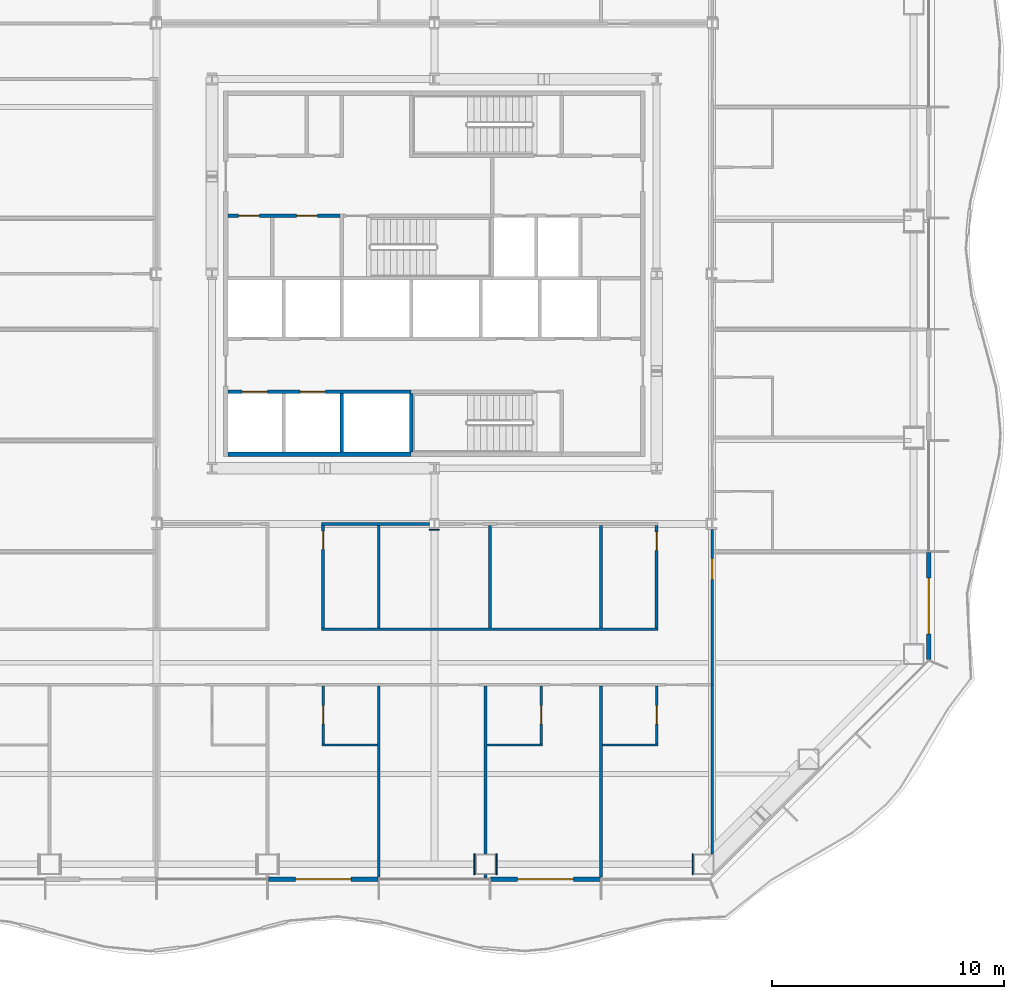
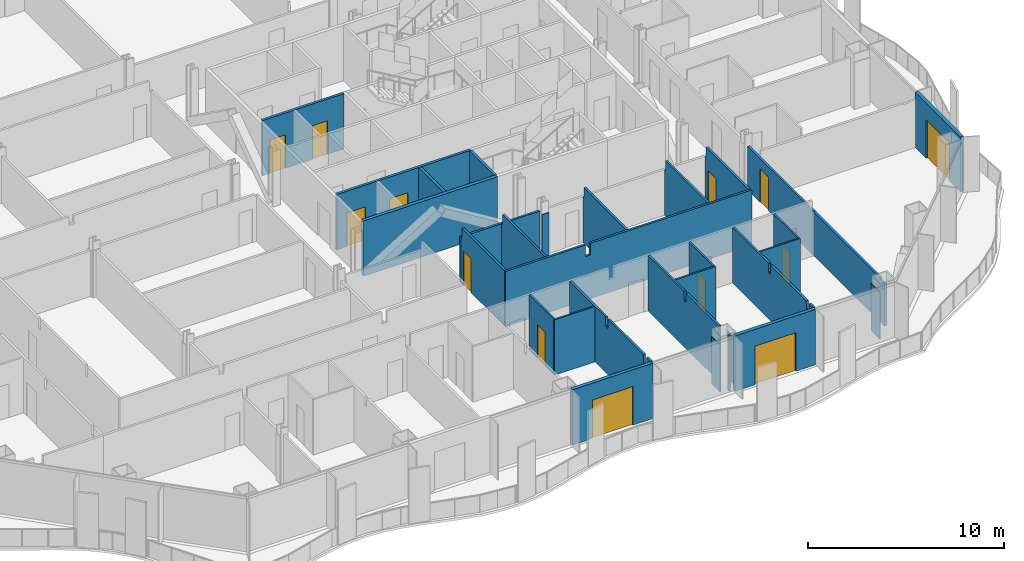
# One storey, part 9 of 20: 31 walls, 13 doors, 13 openings.
"""IFC4 building model written with IfcOpenShell, lengths in metres."""

from ifc_helpers import new_model, si_unit, direction, frame, frame_2d, origin, place, context, subcontext, project, spatial, polyline, rectangle, outline, extrude, material, layer, layer_set, type_object, element, fill, save


model = new_model("IFC4")

# Units and contexts
model_context = context("Model", 3, precision=1e-05, world=origin(), true_north=direction((0.0, 1.0)))
body_context = subcontext(model_context, "Body", "Model", "MODEL_VIEW")
ifc_project = project(units=[si_unit("LENGTHUNIT", "METRE"), si_unit("AREAUNIT", "SQUARE_METRE"), si_unit("VOLUMEUNIT", "CUBIC_METRE"), si_unit("PLANEANGLEUNIT", "RADIAN"), si_unit("MASSUNIT", "GRAM", prefix="KILO")], contexts=[model_context])

# Site, building, storey
site_placement = place(None, origin())
site = spatial("IfcSite", under=ifc_project, at=site_placement, CompositionType="ELEMENT")
building_placement = place(site_placement, origin())
building = spatial("IfcBuilding", under=site, at=building_placement, Name="Cairn Pilgrim Tower", CompositionType="ELEMENT")
storey_placement = place(building_placement, frame((0.0, 0.0, 83.39990234375)))
storey = spatial("IfcBuildingStorey", under=building, at=storey_placement, Name="L19", CompositionType="ELEMENT", Elevation=83.39990234375)

# Wall, opening, door
ifc_material_1 = material(Name="Bronze anodised aluminium insulated sandwich panel with mineral wool fill", Category="aluminium")
ifc_layer_1 = layer(ifc_material_1, 0.199951171875)
ifc_layer_set_1 = layer_set([ifc_layer_1], Name="BRONZE INFILL FRAME WALL 200")
wall_type_1 = type_object("IfcWallType", Name="BRONZE INFILL FRAME WALL 200", PredefinedType="NOTDEFINED", material=ifc_layer_set_1)
wall_1_placement = place(storey_placement, frame((0.030029296875, -23.75, 0.0), z_axis=(0.0, 0.0, 1.0), x_axis=(1.0, 0.0, 0.0)))
wall_1 = element("IfcWall", 1, at=wall_1_placement, inside=storey, type_object=wall_type_1, Name="Bronze infill frame wall IW-S5", PredefinedType="NOTDEFINED", context=body_context, shape_type="SweptSolid", body=[
    extrude(rectangle(XDim=4.739990234375, YDim=0.199951171875, at=frame_2d((2.3701171875, 0.0))), origin(), (0.0, 0.0, 1.0), 3.4501953125),
])
opening_1_placement = place(wall_1_placement, frame((1.169921875, 0.0, 0.0)))
opening_1 = element("IfcOpeningElement", 2, at=opening_1_placement, cuts=wall_1, Name="Opening 1905B", PredefinedType="OPENING", context=body_context, shape_type="SweptSolid", body=[
    extrude(rectangle(XDim=2.39990234375, YDim=2.39990234375, at=frame_2d((1.199951171875, 1.199951171875))), frame((0.0, 0.10986328125, 0.0), z_axis=(0.0, -1.0, 0.0), x_axis=(1.0, 0.0, 0.0)), (0.0, 0.0, 1.0), 0.219970703125),
])
ifc_material_2 = material(Name="Bronze anodised aluminium frame with tinted low-E glass", Category="aluminium")
door_type_1 = type_object("IfcDoorType", Name="BALCONY SLIDING DOOR 2400x2400", OperationType="DOUBLE_DOOR_SLIDING", PredefinedType="DOOR", material=ifc_material_2)
door_1_placement = place(opening_1_placement, origin())
door_1 = element("IfcDoor", 3, at=door_1_placement, inside=storey, type_object=door_type_1, Name="Balcony sliding door 1905B", OperationType="SINGLE_SWING_LEFT", OverallHeight=2.39990234375, OverallWidth=2.39990234375, PredefinedType="DOOR", context=body_context, shape_type="SweptSolid", body=[
    extrude(rectangle(XDim=2.39990234375, YDim=2.39990234375, at=frame_2d((1.199951171875, 1.199951171875))), frame((0.0, 0.02490234375, 0.0), z_axis=(0.0, -1.0, 0.0), x_axis=(1.0, 0.0, 0.0)), (0.0, 0.0, 1.0), 0.050048828125),
])
fill(opening_1, door_1)

wall_2_placement = place(storey_placement, frame((9.6298828125, -23.75, 0.0), z_axis=(0.0, 0.0, 1.0), x_axis=(1.0, 0.0, 0.0)))
wall_2 = element("IfcWall", 4, at=wall_2_placement, inside=storey, type_object=wall_type_1, Name="Bronze infill frame wall IW-S7", PredefinedType="NOTDEFINED", context=body_context, shape_type="SweptSolid", body=[
    extrude(rectangle(XDim=4.740234375, YDim=0.199951171875, at=frame_2d((2.3701171875, 0.0))), origin(), (0.0, 0.0, 1.0), 3.4501953125),
])
opening_2_placement = place(wall_2_placement, frame((1.169921875, 0.0, 0.0)))
opening_2 = element("IfcOpeningElement", 5, at=opening_2_placement, cuts=wall_2, Name="Opening 1907B", PredefinedType="OPENING", context=body_context, shape_type="SweptSolid", body=[
    extrude(rectangle(XDim=2.39990234375, YDim=2.39990234375, at=frame_2d((1.199951171875, 1.199951171875))), frame((0.0, 0.10986328125, 0.0), z_axis=(0.0, -1.0, 0.0), x_axis=(1.0, 0.0, 0.0)), (0.0, 0.0, 1.0), 0.219970703125),
])
door_2_placement = place(opening_2_placement, origin())
door_2 = element("IfcDoor", 6, at=door_2_placement, inside=storey, type_object=door_type_1, Name="Balcony sliding door 1907B", OperationType="SINGLE_SWING_LEFT", OverallHeight=2.39990234375, OverallWidth=2.39990234375, PredefinedType="DOOR", context=body_context, shape_type="SweptSolid", body=[
    extrude(rectangle(XDim=2.39990234375, YDim=2.39990234375, at=frame_2d((1.199951171875, 1.199951171875))), frame((0.0, 0.02490234375, 0.0), z_axis=(0.0, -1.0, 0.0), x_axis=(1.0, 0.0, 0.0)), (0.0, 0.0, 1.0), 0.050048828125),
])
fill(opening_2, door_2)

wall_3_placement = place(storey_placement, frame((28.550048828125, -14.25634765625, 0.0), z_axis=(0.0, 0.0, 1.0), x_axis=(0.0, 1.0, 0.0)))
wall_3 = element("IfcWall", 7, at=wall_3_placement, inside=storey, type_object=wall_type_1, Name="Bronze infill frame wall IW-E1", PredefinedType="NOTDEFINED", context=body_context, shape_type="SweptSolid", body=[
    extrude(rectangle(XDim=4.62646484375, YDim=0.199951171875, at=frame_2d((2.313232421875, 0.0))), origin(), (0.0, 0.0, 1.0), 3.4501953125),
])
opening_3_placement = place(wall_3_placement, frame((1.108154296875, 0.0, 0.0)))
opening_3 = element("IfcOpeningElement", 8, at=opening_3_placement, cuts=wall_3, Name="Opening 1920B", PredefinedType="OPENING", context=body_context, shape_type="SweptSolid", body=[
    extrude(rectangle(XDim=2.39990234375, YDim=2.39990234375, at=frame_2d((1.199951171875, 1.199951171875))), frame((0.0, 0.10986328125, 0.0), z_axis=(0.0, -1.0, 0.0), x_axis=(1.0, 0.0, 0.0)), (0.0, 0.0, 1.0), 0.219970703125),
])
door_3_placement = place(opening_3_placement, origin())
door_3 = element("IfcDoor", 9, at=door_3_placement, inside=storey, type_object=door_type_1, Name="Balcony sliding door 1920B", OperationType="SINGLE_SWING_LEFT", OverallHeight=2.39990234375, OverallWidth=2.39990234375, PredefinedType="DOOR", context=body_context, shape_type="SweptSolid", body=[
    extrude(rectangle(XDim=2.39990234375, YDim=2.39990234375, at=frame_2d((1.199951171875, 1.199951171875))), frame((0.0, 0.02490234375, 0.0), z_axis=(0.0, -1.0, 0.0), x_axis=(1.0, 0.0, 0.0)), (0.0, 0.0, 1.0), 0.050048828125),
])
fill(opening_3, door_3)

# Wall
ifc_material_3 = material(Name="Concrete C32/40", Category="concrete")
ifc_layer_2 = layer(ifc_material_3, 0.199951171875)
ifc_layer_set_2 = layer_set([ifc_layer_2], Name="CORE OUTER WALL 200 EI 120")
wall_type_2 = type_object("IfcWallType", Name="CORE OUTER WALL 200 EI 120", PredefinedType="SOLIDWALL", material=ifc_layer_set_2)
wall_4_placement = place(storey_placement, frame((-1.699951171875, -5.39990234375, 0.0), z_axis=(0.0, 0.0, 1.0), x_axis=(1.0, 0.0, 0.0)))
element("IfcWall", 10, at=wall_4_placement, inside=storey, type_object=wall_type_2, Name="CW:L19:H01-1", PredefinedType="SOLIDWALL", context=body_context, shape_type="SweptSolid", body=[
    extrude(rectangle(XDim=7.89990234375, YDim=0.199951171875, at=frame_2d((3.949951171875, 0.0))), origin(), (0.0, 0.0, 1.0), 3.4501953125),
])

# Wall, openings, doors
ifc_layer_3 = layer(ifc_material_3, 0.14990234375)
ifc_layer_set_3 = layer_set([ifc_layer_3], Name="CORE PARTITION 150 EI 60")
wall_type_3 = type_object("IfcWallType", Name="CORE PARTITION 150 EI 60", PredefinedType="PARTITIONING", material=ifc_layer_set_3)
wall_5_placement = place(storey_placement, frame((-1.699951171875, 4.89990234375, 0.0), z_axis=(0.0, 0.0, 1.0), x_axis=(1.0, 0.0, 0.0)))
wall_5 = element("IfcWall", 11, at=wall_5_placement, inside=storey, type_object=wall_type_3, Name="CW:L19:H07", PredefinedType="PARTITIONING", context=body_context, shape_type="SweptSolid", body=[
    extrude(rectangle(XDim=4.824951171875, YDim=0.14990234375, at=frame_2d((2.41259765625, 0.0))), origin(), (0.0, 0.0, 1.0), 3.4501953125),
])
opening_4_placement = place(wall_5_placement, frame((0.449951171875, 0.0, 0.0)))
opening_4 = element("IfcOpeningElement", 12, at=opening_4_placement, cuts=wall_5, Name="Opening RD-R3W1", PredefinedType="OPENING", context=body_context, shape_type="SweptSolid", body=[
    extrude(rectangle(XDim=0.89990234375, YDim=2.10009765625, at=frame_2d((0.449951171875, 1.050048828125))), frame((0.0, 0.0849609375, 0.0), z_axis=(0.0, -1.0, 0.0), x_axis=(1.0, 0.0, 0.0)), (0.0, 0.0, 1.0), 0.169921875),
])
opening_5_placement = place(wall_5_placement, frame((2.949951171875, 0.0, 0.0)))
opening_5 = element("IfcOpeningElement", 13, at=opening_5_placement, cuts=wall_5, Name="Opening RD-R3W2", PredefinedType="OPENING", context=body_context, shape_type="SweptSolid", body=[
    extrude(rectangle(XDim=0.89990234375, YDim=2.10009765625, at=frame_2d((0.449951171875, 1.050048828125))), frame((0.0, 0.0849609375, 0.0), z_axis=(0.0, -1.0, 0.0), x_axis=(1.0, 0.0, 0.0)), (0.0, 0.0, 1.0), 0.169921875),
])
ifc_material_4 = material(Name="Painted steel", Category="steel")
door_type_2 = type_object("IfcDoorType", Name="SERVICE ROOM DOOR 900x2100", OperationType="SINGLE_SWING_LEFT", PredefinedType="DOOR", material=ifc_material_4)
door_4_placement = place(opening_4_placement, origin())
door_4 = element("IfcDoor", 14, at=door_4_placement, inside=storey, type_object=door_type_2, Name="RD-R3W1", OperationType="SINGLE_SWING_LEFT", OverallHeight=2.10009765625, OverallWidth=0.89990234375, PredefinedType="DOOR", context=body_context, shape_type="SweptSolid", body=[
    extrude(rectangle(XDim=0.89990234375, YDim=2.10009765625, at=frame_2d((0.449951171875, 1.050048828125))), frame((0.0, 0.02490234375, 0.0), z_axis=(0.0, -1.0, 0.0), x_axis=(1.0, 0.0, 0.0)), (0.0, 0.0, 1.0), 0.050048828125),
])
fill(opening_4, door_4)
door_5_placement = place(opening_5_placement, origin())
door_5 = element("IfcDoor", 15, at=door_5_placement, inside=storey, type_object=door_type_2, Name="RD-R3W2", OperationType="SINGLE_SWING_RIGHT", OverallHeight=2.10009765625, OverallWidth=0.89990234375, PredefinedType="DOOR", context=body_context, shape_type="SweptSolid", body=[
    extrude(rectangle(XDim=0.89990234375, YDim=2.10009765625, at=frame_2d((0.449951171875, 1.050048828125))), frame((0.0, 0.02490234375, 0.0), z_axis=(0.0, -1.0, 0.0), x_axis=(1.0, 0.0, 0.0)), (0.0, 0.0, 1.0), 0.050048828125),
])
fill(opening_5, door_5)

ifc_layer_4 = layer(ifc_material_3, 0.14990234375)
ifc_layer_set_4 = layer_set([ifc_layer_4], Name="CORE SHAFT WALL 150 EI 120")
wall_type_4 = type_object("IfcWallType", Name="CORE SHAFT WALL 150 EI 120", PredefinedType="SOLIDWALL", material=ifc_layer_set_4)
wall_6_placement = place(storey_placement, frame((-1.699951171875, -2.699951171875, 0.0), z_axis=(0.0, 0.0, 1.0), x_axis=(1.0, 0.0, 0.0)))
wall_6 = element("IfcWall", 16, at=wall_6_placement, inside=storey, type_object=wall_type_4, Name="CW:L19:H02-1", PredefinedType="SOLIDWALL", context=body_context, shape_type="SweptSolid", body=[
    extrude(rectangle(XDim=7.89990234375, YDim=0.14990234375, at=frame_2d((3.949951171875, 0.0))), origin(), (0.0, 0.0, 1.0), 3.4501953125),
])
opening_6_placement = place(wall_6_placement, frame((0.60009765625, 0.0, 0.0)))
opening_6 = element("IfcOpeningElement", 17, at=opening_6_placement, cuts=wall_6, Name="Opening LD-LR1", PredefinedType="OPENING", context=body_context, shape_type="SweptSolid", body=[
    extrude(rectangle(XDim=1.10009765625, YDim=2.10009765625, at=frame_2d((0.550048828125, 1.050048828125))), frame((0.0, 0.0849609375, 0.0), z_axis=(0.0, -1.0, 0.0), x_axis=(1.0, 0.0, 0.0)), (0.0, 0.0, 1.0), 0.169921875),
])
opening_7_placement = place(wall_6_placement, frame((3.10009765625, 0.0, 0.0)))
opening_7 = element("IfcOpeningElement", 18, at=opening_7_placement, cuts=wall_6, Name="Opening LD-LR2", PredefinedType="OPENING", context=body_context, shape_type="SweptSolid", body=[
    extrude(rectangle(XDim=1.10009765625, YDim=2.10009765625, at=frame_2d((0.550048828125, 1.050048828125))), frame((0.0, 0.0849609375, 0.0), z_axis=(0.0, -1.0, 0.0), x_axis=(1.0, 0.0, 0.0)), (0.0, 0.0, 1.0), 0.169921875),
])
ifc_material_5 = material(Name="Stainless steel", Category="steel")
door_type_3 = type_object("IfcDoorType", Name="LIFT LANDING DOOR 1100x2100", OperationType="DOUBLE_DOOR_SLIDING", PredefinedType="DOOR", material=ifc_material_5)
door_6_placement = place(opening_6_placement, origin())
door_6 = element("IfcDoor", 19, at=door_6_placement, inside=storey, type_object=door_type_3, Name="LANDING DOOR LR1", OperationType="DOUBLE_DOOR_SLIDING", OverallHeight=2.10009765625, OverallWidth=1.10009765625, PredefinedType="DOOR", context=body_context, shape_type="SweptSolid", body=[
    extrude(rectangle(XDim=1.10009765625, YDim=2.10009765625, at=frame_2d((0.550048828125, 1.050048828125))), frame((0.0, 0.02490234375, 0.0), z_axis=(0.0, -1.0, 0.0), x_axis=(1.0, 0.0, 0.0)), (0.0, 0.0, 1.0), 0.050048828125),
])
fill(opening_6, door_6)
door_7_placement = place(opening_7_placement, origin())
door_7 = element("IfcDoor", 20, at=door_7_placement, inside=storey, type_object=door_type_3, Name="LANDING DOOR LR2", OperationType="DOUBLE_DOOR_SLIDING", OverallHeight=2.10009765625, OverallWidth=1.10009765625, PredefinedType="DOOR", context=body_context, shape_type="SweptSolid", body=[
    extrude(rectangle(XDim=1.10009765625, YDim=2.10009765625, at=frame_2d((0.550048828125, 1.050048828125))), frame((0.0, 0.02490234375, 0.0), z_axis=(0.0, -1.0, 0.0), x_axis=(1.0, 0.0, 0.0)), (0.0, 0.0, 1.0), 0.050048828125),
])
fill(opening_7, door_7)

# Walls
wall_7_placement = place(storey_placement, frame((3.199951171875, -5.300048828125, 0.0), z_axis=(0.0, 0.0, 1.0), x_axis=(0.0, 1.0, 0.0)))
element("IfcWall", 21, at=wall_7_placement, inside=storey, type_object=wall_type_4, Name="CW:L19:V17", PredefinedType="SOLIDWALL", context=body_context, shape_type="SweptSolid", body=[
    extrude(rectangle(XDim=2.525146484375, YDim=0.14990234375, at=frame_2d((1.2626953125, 0.0))), origin(), (0.0, 0.0, 1.0), 3.4501953125),
])
ifc_material_6 = material(Name="Gypsum partition")
ifc_layer_5 = layer(ifc_material_6, 0.10009765625)
ifc_layer_set_5 = layer_set([ifc_layer_5], Name="PARTITION 100 DRYWALL")
wall_type_5 = type_object("IfcWallType", Name="PARTITION 100 DRYWALL", PredefinedType="PARTITIONING", material=ifc_layer_set_5)
wall_8_placement = place(storey_placement, frame((2.35009765625, -17.949951171875, 0.0), z_axis=(0.0, 0.0, 1.0), x_axis=(1.0, 0.0, 0.0)))
element("IfcWall", 22, at=wall_8_placement, inside=storey, type_object=wall_type_5, Name="PARTITION W016", PredefinedType="PARTITIONING", context=body_context, shape_type="SweptSolid", body=[
    extrude(rectangle(XDim=2.387451171875, YDim=0.10009765625, at=frame_2d((1.19384765625, 0.0))), origin(), (0.0, 0.0, 1.0), 3.4501953125),
])

# Wall, opening, door
wall_9_placement = place(storey_placement, frame((2.39990234375, -17.89990234375, 0.0), z_axis=(0.0, 0.0, 1.0), x_axis=(0.0, 1.0, 0.0)))
wall_9 = element("IfcWall", 23, at=wall_9_placement, inside=storey, type_object=wall_type_5, Name="PARTITION W017", PredefinedType="PARTITIONING", context=body_context, shape_type="SweptSolid", body=[
    extrude(rectangle(XDim=2.4873046875, YDim=0.10009765625, at=frame_2d((1.24365234375, 0.0))), origin(), (0.0, 0.0, 1.0), 3.4501953125),
])
opening_8_placement = place(wall_9_placement, frame((0.85009765625, 0.0, 0.0)))
opening_8 = element("IfcOpeningElement", 24, at=opening_8_placement, cuts=wall_9, Name="Opening 1905E", PredefinedType="OPENING", context=body_context, shape_type="SweptSolid", body=[
    extrude(rectangle(XDim=0.800048828125, YDim=2.10009765625, at=frame_2d((0.39990234375, 1.050048828125))), frame((0.0, 0.06005859375, 0.0), z_axis=(0.0, -1.0, 0.0), x_axis=(1.0, 0.0, 0.0)), (0.0, 0.0, 1.0), 0.1201171875),
])
ifc_material_7 = material(Name="Timber door leaf", Category="wood")
door_type_4 = type_object("IfcDoorType", Name="DOOR 800x2100", OperationType="NOTDEFINED", PredefinedType="DOOR", material=ifc_material_7)
door_8_placement = place(opening_8_placement, frame((0.800048828125, 0.0, 0.0), z_axis=(0.0, 0.0, 1.0), x_axis=(-1.0, 0.0, 0.0)))
door_8 = element("IfcDoor", 25, at=door_8_placement, inside=storey, type_object=door_type_4, Name="DOOR 1905E", OperationType="SINGLE_SWING_LEFT", OverallHeight=2.10009765625, OverallWidth=0.800048828125, PredefinedType="DOOR", context=body_context, shape_type="SweptSolid", body=[
    extrude(rectangle(XDim=0.800048828125, YDim=2.10009765625, at=frame_2d((0.39990234375, 1.050048828125))), frame((0.0, 0.02490234375, 0.0), z_axis=(0.0, -1.0, 0.0), x_axis=(1.0, 0.0, 0.0)), (0.0, 0.0, 1.0), 0.050048828125),
])
fill(opening_8, door_8)

# Wall
wall_10_placement = place(storey_placement, frame((9.4765625, -17.949951171875, 0.0), z_axis=(0.0, 0.0, 1.0), x_axis=(1.0, 0.0, 0.0)))
element("IfcWall", 26, at=wall_10_placement, inside=storey, type_object=wall_type_5, Name="PARTITION W018", PredefinedType="PARTITIONING", context=body_context, shape_type="SweptSolid", body=[
    extrude(rectangle(XDim=2.387451171875, YDim=0.10009765625, at=frame_2d((1.19384765625, 0.0))), origin(), (0.0, 0.0, 1.0), 3.4501953125),
])

# Wall, opening, door
wall_11_placement = place(storey_placement, frame((11.81396484375, -17.89990234375, 0.0), z_axis=(0.0, 0.0, 1.0), x_axis=(0.0, 1.0, 0.0)))
wall_11 = element("IfcWall", 27, at=wall_11_placement, inside=storey, type_object=wall_type_5, Name="PARTITION W019", PredefinedType="PARTITIONING", context=body_context, shape_type="SweptSolid", body=[
    extrude(rectangle(XDim=2.4873046875, YDim=0.10009765625, at=frame_2d((1.24365234375, 0.0))), origin(), (0.0, 0.0, 1.0), 3.4501953125),
])
opening_9_placement = place(wall_11_placement, frame((0.85009765625, 0.0, 0.0)))
opening_9 = element("IfcOpeningElement", 28, at=opening_9_placement, cuts=wall_11, Name="Opening 1907E", PredefinedType="OPENING", context=body_context, shape_type="SweptSolid", body=[
    extrude(rectangle(XDim=0.800048828125, YDim=2.10009765625, at=frame_2d((0.39990234375, 1.050048828125))), frame((0.0, 0.06005859375, 0.0), z_axis=(0.0, -1.0, 0.0), x_axis=(1.0, 0.0, 0.0)), (0.0, 0.0, 1.0), 0.1201171875),
])
door_9_placement = place(opening_9_placement, origin())
door_9 = element("IfcDoor", 29, at=door_9_placement, inside=storey, type_object=door_type_4, Name="DOOR 1907E", OperationType="SINGLE_SWING_RIGHT", OverallHeight=2.10009765625, OverallWidth=0.800048828125, PredefinedType="DOOR", context=body_context, shape_type="SweptSolid", body=[
    extrude(rectangle(XDim=0.800048828125, YDim=2.10009765625, at=frame_2d((0.39990234375, 1.050048828125))), frame((0.0, 0.02490234375, 0.0), z_axis=(0.0, -1.0, 0.0), x_axis=(1.0, 0.0, 0.0)), (0.0, 0.0, 1.0), 0.050048828125),
])
fill(opening_9, door_9)

# Wall
wall_12_placement = place(storey_placement, frame((14.46240234375, -17.949951171875, 0.0), z_axis=(0.0, 0.0, 1.0), x_axis=(1.0, 0.0, 0.0)))
element("IfcWall", 30, at=wall_12_placement, inside=storey, type_object=wall_type_5, Name="PARTITION W020", PredefinedType="PARTITIONING", context=body_context, shape_type="SweptSolid", body=[
    extrude(rectangle(XDim=2.3876953125, YDim=0.10009765625, at=frame_2d((1.19384765625, 0.0))), origin(), (0.0, 0.0, 1.0), 3.4501953125),
])

# Wall, opening, door
wall_13_placement = place(storey_placement, frame((16.800048828125, -17.89990234375, 0.0), z_axis=(0.0, 0.0, 1.0), x_axis=(0.0, 1.0, 0.0)))
wall_13 = element("IfcWall", 31, at=wall_13_placement, inside=storey, type_object=wall_type_5, Name="PARTITION W021", PredefinedType="PARTITIONING", context=body_context, shape_type="SweptSolid", body=[
    extrude(rectangle(XDim=2.4873046875, YDim=0.10009765625, at=frame_2d((1.24365234375, 0.0))), origin(), (0.0, 0.0, 1.0), 3.4501953125),
])
opening_10_placement = place(wall_13_placement, frame((0.85009765625, 0.0, 0.0)))
opening_10 = element("IfcOpeningElement", 32, at=opening_10_placement, cuts=wall_13, Name="Opening 1908E", PredefinedType="OPENING", context=body_context, shape_type="SweptSolid", body=[
    extrude(rectangle(XDim=0.800048828125, YDim=2.10009765625, at=frame_2d((0.39990234375, 1.050048828125))), frame((0.0, 0.06005859375, 0.0), z_axis=(0.0, -1.0, 0.0), x_axis=(1.0, 0.0, 0.0)), (0.0, 0.0, 1.0), 0.1201171875),
])
door_10_placement = place(opening_10_placement, origin())
door_10 = element("IfcDoor", 33, at=door_10_placement, inside=storey, type_object=door_type_4, Name="DOOR 1908E", OperationType="SINGLE_SWING_RIGHT", OverallHeight=2.10009765625, OverallWidth=0.800048828125, PredefinedType="DOOR", context=body_context, shape_type="SweptSolid", body=[
    extrude(rectangle(XDim=0.800048828125, YDim=2.10009765625, at=frame_2d((0.39990234375, 1.050048828125))), frame((0.0, 0.02490234375, 0.0), z_axis=(0.0, -1.0, 0.0), x_axis=(1.0, 0.0, 0.0)), (0.0, 0.0, 1.0), 0.050048828125),
])
fill(opening_10, door_10)

# Walls
ifc_layer_6 = layer(ifc_material_6, 0.125)
ifc_layer_set_6 = layer_set([ifc_layer_6], Name="PARTITION 125 DRYWALL EI 60")
wall_type_6 = type_object("IfcWallType", Name="PARTITION 125 DRYWALL EI 60", PredefinedType="PARTITIONING", material=ifc_layer_set_6)
wall_14_placement = place(storey_placement, frame((4.800048828125, -23.64990234375, 0.0), z_axis=(0.0, 0.0, 1.0), x_axis=(0.0, 1.0, 0.0)))
element("IfcWall", 34, at=wall_14_placement, inside=storey, type_object=wall_type_6, Name="PARTITION W004", PredefinedType="PARTITIONING", context=body_context, shape_type="SweptSolid", body=[
    extrude(outline(polyline([(0.0, 0.0), (8.2373046875, 0.0), (8.237548828125, 3.4501953125), (4.554931640625, 3.4501953125), (4.552978515625, 2.880126953125), (4.344970703125, 2.880126953125), (4.343017578125, 3.4501953125), (0.699951171875, 3.4501953125), (0.697998046875, 2.93017578125), (0.39990234375, 2.93017578125), (0.39794921875, 3.4501953125), (0.0, 3.4501953125), (0.0, 0.0)])), frame((0.0, 0.0625, 0.0), z_axis=(0.0, -1.0, 0.0), x_axis=(1.0, 0.0, 0.0)), (0.0, 0.0, 1.0), 0.125),
])
wall_15_placement = place(storey_placement, frame((9.4140625, -23.702880859375, 0.0), z_axis=(0.0, 0.0, 1.0), x_axis=(0.0, 1.0, 0.0)))
element("IfcWall", 35, at=wall_15_placement, inside=storey, type_object=wall_type_6, Name="PARTITION W005", PredefinedType="PARTITIONING", context=body_context, shape_type="SweptSolid", body=[
    extrude(rectangle(XDim=0.15283203125, YDim=0.125, at=frame_2d((0.076416015625, 0.0))), origin(), (0.0, 0.0, 1.0), 3.4501953125),
])
wall_16_placement = place(storey_placement, frame((14.39990234375, -23.64990234375, 0.0), z_axis=(0.0, 0.0, 1.0), x_axis=(0.0, 1.0, 0.0)))
element("IfcWall", 36, at=wall_16_placement, inside=storey, type_object=wall_type_6, Name="PARTITION W006", PredefinedType="PARTITIONING", context=body_context, shape_type="SweptSolid", body=[
    extrude(outline(polyline([(0.0, 0.0), (8.2373046875, 0.0), (8.237548828125, 3.4501953125), (4.554931640625, 3.4501953125), (4.552978515625, 2.880126953125), (4.344970703125, 2.880126953125), (4.343017578125, 3.4501953125), (0.699951171875, 3.4501953125), (0.697998046875, 2.93017578125), (0.39990234375, 2.93017578125), (0.39794921875, 3.4501953125), (0.0, 3.4501953125), (0.0, 0.0)])), frame((0.0, 0.0625, 0.0), z_axis=(0.0, -1.0, 0.0), x_axis=(1.0, 0.0, 0.0)), (0.0, 0.0, 1.0), 0.125),
])
wall_17_placement = place(storey_placement, frame((9.4140625, -22.64990234375, 0.0), z_axis=(0.0, 0.0, 1.0), x_axis=(0.0, 1.0, 0.0)))
element("IfcWall", 37, at=wall_17_placement, inside=storey, type_object=wall_type_6, Name="PARTITION W009", PredefinedType="PARTITIONING", context=body_context, shape_type="SweptSolid", body=[
    extrude(outline(polyline([(0.0, 0.0), (7.2373046875, 0.0), (7.237548828125, 3.4501953125), (3.554931640625, 3.4501953125), (3.552978515625, 2.880126953125), (3.344970703125, 2.880126953125), (3.343017578125, 3.4501953125), (0.0, 3.4501953125), (0.0, 0.0)])), frame((0.0, 0.0625, 0.0), z_axis=(0.0, -1.0, 0.0), x_axis=(1.0, 0.0, 0.0)), (0.0, 0.0, 1.0), 0.125),
])
wall_18_placement = place(storey_placement, frame((19.199951171875, -22.64990234375, 0.0), z_axis=(0.0, 0.0, 1.0), x_axis=(0.0, 1.0, 0.0)))
element("IfcWall", 38, at=wall_18_placement, inside=storey, type_object=wall_type_6, Name="PARTITION W010", PredefinedType="PARTITIONING", context=body_context, shape_type="SweptSolid", body=[
    extrude(outline(polyline([(0.0, 0.0), (7.2998046875, 0.0), (7.300048828125, 2.72998046875), (0.480224609375, 2.72998046875), (0.478271484375, 2.630126953125), (0.0, 2.630126953125), (0.0, 0.0)])), frame((0.0, 0.0625, 0.0), z_axis=(0.0, -1.0, 0.0), x_axis=(1.0, 0.0, 0.0)), (0.0, 0.0, 1.0), 0.125),
])

# Wall, opening, door
wall_19_placement = place(storey_placement, frame((19.199951171875, -15.35009765625, 0.0), z_axis=(0.0, 0.0, 1.0), x_axis=(0.0, 1.0, 0.0)))
wall_19 = element("IfcWall", 39, at=wall_19_placement, inside=storey, type_object=wall_type_6, Name="PARTITION W025", PredefinedType="PARTITIONING", context=body_context, shape_type="SweptSolid", body=[
    extrude(rectangle(XDim=6.713134765625, YDim=0.125, at=frame_2d((3.3564453125, 0.0))), origin(), (0.0, 0.0, 1.0), 2.72998046875),
])
opening_11_placement = place(wall_19_placement, frame((4.550048828125, 0.0, 0.0)))
opening_11 = element("IfcOpeningElement", 40, at=opening_11_placement, cuts=wall_19, Name="Opening 1920", PredefinedType="OPENING", context=body_context, shape_type="SweptSolid", body=[
    extrude(rectangle(XDim=0.89990234375, YDim=2.10009765625, at=frame_2d((0.449951171875, 1.050048828125))), frame((0.0, 0.072509765625, 0.0), z_axis=(0.0, -1.0, 0.0), x_axis=(1.0, 0.0, 0.0)), (0.0, 0.0, 1.0), 0.14501953125),
])
ifc_material_8 = material(Name="Steel-faced fire door leaf", Category="steel")
door_type_5 = type_object("IfcDoorType", Name="FIRE DOOR 900x2100 FD30S", OperationType="NOTDEFINED", PredefinedType="DOOR", material=ifc_material_8)
door_11_placement = place(opening_11_placement, frame((0.89990234375, 0.0, 0.0), z_axis=(0.0, 0.0, 1.0), x_axis=(-1.0, 0.0, 0.0)))
door_11 = element("IfcDoor", 41, at=door_11_placement, inside=storey, type_object=door_type_5, Name="DOOR 1920", OperationType="SINGLE_SWING_LEFT", OverallHeight=2.10009765625, OverallWidth=0.89990234375, PredefinedType="DOOR", context=body_context, shape_type="SweptSolid", body=[
    extrude(rectangle(XDim=0.89990234375, YDim=2.10009765625, at=frame_2d((0.449951171875, 1.050048828125))), frame((0.0, 0.02490234375, 0.0), z_axis=(0.0, -1.0, 0.0), x_axis=(1.0, 0.0, 0.0)), (0.0, 0.0, 1.0), 0.050048828125),
])
fill(opening_11, door_11)

# Wall
wall_20_placement = place(storey_placement, frame((2.33740234375, -12.949951171875, 0.0), z_axis=(0.0, 0.0, 1.0), x_axis=(1.0, 0.0, 0.0)))
element("IfcWall", 42, at=wall_20_placement, inside=storey, type_object=wall_type_6, Name="PARTITION W027", PredefinedType="PARTITIONING", context=body_context, shape_type="SweptSolid", body=[
    extrude(outline(polyline([(0.0, 0.0), (14.525146484375, 0.0), (14.52490234375, 3.4501953125), (5.012451171875, 3.4501953125), (5.010498046875, 2.72998046875), (4.71240234375, 2.72998046875), (4.71044921875, 3.4501953125), (0.0, 3.4501953125), (0.0, 0.0)])), frame((0.0, 0.0625, 0.0), z_axis=(0.0, -1.0, 0.0), x_axis=(1.0, 0.0, 0.0)), (0.0, 0.0, 1.0), 0.125),
])

# Wall, opening, door
wall_21_placement = place(storey_placement, frame((2.39990234375, -12.887451171875, 0.0), z_axis=(0.0, 0.0, 1.0), x_axis=(0.0, 1.0, 0.0)))
wall_21 = element("IfcWall", 43, at=wall_21_placement, inside=storey, type_object=wall_type_6, Name="PARTITION W032", PredefinedType="PARTITIONING", context=body_context, shape_type="SweptSolid", body=[
    extrude(outline(polyline([(0.0, 0.0), (4.425048828125, 0.0), (4.425048828125, 2.830078125), (4.33740234375, 2.830078125), (4.33544921875, 3.4501953125), (0.0, 3.4501953125), (0.0, 0.0)])), frame((0.0, 0.0625, 0.0), z_axis=(0.0, -1.0, 0.0), x_axis=(1.0, 0.0, 0.0)), (0.0, 0.0, 1.0), 0.125),
])
opening_12_placement = place(wall_21_placement, frame((3.387451171875, 0.0, 0.0)))
opening_12 = element("IfcOpeningElement", 44, at=opening_12_placement, cuts=wall_21, Name="Opening 1934", PredefinedType="OPENING", context=body_context, shape_type="SweptSolid", body=[
    extrude(rectangle(XDim=0.800048828125, YDim=2.10009765625, at=frame_2d((0.39990234375, 1.050048828125))), frame((0.0, 0.072509765625, 0.0), z_axis=(0.0, -1.0, 0.0), x_axis=(1.0, 0.0, 0.0)), (0.0, 0.0, 1.0), 0.14501953125),
])
door_type_6 = type_object("IfcDoorType", Name="FIRE DOOR 800x2100 FD30S", OperationType="NOTDEFINED", PredefinedType="DOOR", material=ifc_material_8)
door_12_placement = place(opening_12_placement, frame((0.800048828125, 0.0, 0.0), z_axis=(0.0, 0.0, 1.0), x_axis=(-1.0, 0.0, 0.0)))
door_12 = element("IfcDoor", 45, at=door_12_placement, inside=storey, type_object=door_type_6, Name="DOOR 1934", OperationType="SINGLE_SWING_LEFT", OverallHeight=2.10009765625, OverallWidth=0.800048828125, PredefinedType="DOOR", context=body_context, shape_type="SweptSolid", body=[
    extrude(rectangle(XDim=0.800048828125, YDim=2.10009765625, at=frame_2d((0.39990234375, 1.050048828125))), frame((0.0, 0.02490234375, 0.0), z_axis=(0.0, -1.0, 0.0), x_axis=(1.0, 0.0, 0.0)), (0.0, 0.0, 1.0), 0.050048828125),
])
fill(opening_12, door_12)

# Walls
for number, where, z_axis, x_axis, name in (
    (46, (4.800048828125, -12.887451171875, 0.0), (0.0, 0.0, 1.0), (0.0, 1.0, 0.0), "PARTITION W033"),
    (47, (9.60009765625, -12.887451171875, 0.0), (0.0, 0.0, 1.0), (0.0, 1.0, 0.0), "PARTITION W034"),
    (48, (14.39990234375, -12.887451171875, 0.0), (0.0, 0.0, 1.0), (0.0, 1.0, 0.0), "PARTITION W035"),
):
    element("IfcWall", number, at=place(storey_placement, frame(where, z_axis=z_axis, x_axis=x_axis)), inside=storey, type_object=wall_type_6, Name=name, PredefinedType="PARTITIONING", context=body_context, shape_type="SweptSolid", body=[
        extrude(outline(polyline([(0.0, 0.0), (4.425048828125, 0.0), (4.425048828125, 2.830078125), (4.33740234375, 2.830078125), (4.33544921875, 3.4501953125), (0.0, 3.4501953125), (0.0, 0.0)])), frame((0.0, 0.0625, 0.0), z_axis=(0.0, -1.0, 0.0), x_axis=(1.0, 0.0, 0.0)), (0.0, 0.0, 1.0), 0.125),
    ])

# Wall, opening, door
wall_22_placement = place(storey_placement, frame((16.800048828125, -12.887451171875, 0.0), z_axis=(0.0, 0.0, 1.0), x_axis=(0.0, 1.0, 0.0)))
wall_22 = element("IfcWall", 49, at=wall_22_placement, inside=storey, type_object=wall_type_6, Name="PARTITION W036", PredefinedType="PARTITIONING", context=body_context, shape_type="SweptSolid", body=[
    extrude(outline(polyline([(0.0, 0.0), (4.425048828125, 0.0), (4.425048828125, 2.830078125), (4.33740234375, 2.830078125), (4.33544921875, 3.4501953125), (0.0, 3.4501953125), (0.0, 0.0)])), frame((0.0, 0.0625, 0.0), z_axis=(0.0, -1.0, 0.0), x_axis=(1.0, 0.0, 0.0)), (0.0, 0.0, 1.0), 0.125),
])
opening_13_placement = place(wall_22_placement, frame((3.33740234375, 0.0, 0.0)))
opening_13 = element("IfcOpeningElement", 50, at=opening_13_placement, cuts=wall_22, Name="Opening 1937", PredefinedType="OPENING", context=body_context, shape_type="SweptSolid", body=[
    extrude(rectangle(XDim=0.800048828125, YDim=2.10009765625, at=frame_2d((0.39990234375, 1.050048828125))), frame((0.0, 0.072509765625, 0.0), z_axis=(0.0, -1.0, 0.0), x_axis=(1.0, 0.0, 0.0)), (0.0, 0.0, 1.0), 0.14501953125),
])
door_13_placement = place(opening_13_placement, origin())
door_13 = element("IfcDoor", 51, at=door_13_placement, inside=storey, type_object=door_type_6, Name="DOOR 1937", OperationType="SINGLE_SWING_RIGHT", OverallHeight=2.10009765625, OverallWidth=0.800048828125, PredefinedType="DOOR", context=body_context, shape_type="SweptSolid", body=[
    extrude(rectangle(XDim=0.800048828125, YDim=2.10009765625, at=frame_2d((0.39990234375, 1.050048828125))), frame((0.0, 0.02490234375, 0.0), z_axis=(0.0, -1.0, 0.0), x_axis=(1.0, 0.0, 0.0)), (0.0, 0.0, 1.0), 0.050048828125),
])
fill(opening_13, door_13)

# Walls
wall_23_placement = place(storey_placement, frame((2.33740234375, -8.39990234375, 0.0), z_axis=(0.0, 0.0, 1.0), x_axis=(1.0, 0.0, 0.0)))
element("IfcWall", 52, at=wall_23_placement, inside=storey, type_object=wall_type_6, Name="PARTITION W042", PredefinedType="PARTITIONING", context=body_context, shape_type="SweptSolid", body=[
    extrude(rectangle(XDim=4.650634765625, YDim=0.125, at=frame_2d((2.3251953125, 0.0))), origin(), (0.0, 0.0, 1.0), 2.830078125),
])
ifc_layer_7 = layer(ifc_material_6, 0.050048828125)
ifc_layer_set_7 = layer_set([ifc_layer_7], Name="PARTITION 50 DRYWALL EI 60")
wall_type_7 = type_object("IfcWallType", Name="PARTITION 50 DRYWALL EI 60", PredefinedType="PARTITIONING", material=ifc_layer_set_7)
for number, where, z_axis, x_axis, name in (
    (53, (8.938720703125, -23.550048828125, 0.0), (0.0, 0.0, 1.0), (0.0, 1.0, 0.0), "COLUMN CASING WC04"),
    (54, (9.888671875, -23.550048828125, 0.0), (0.0, 0.0, 1.0), (0.0, 1.0, 0.0), "COLUMN CASING WC05"),
    (55, (18.352294921875, -23.550048828125, 0.0), (0.0, 0.0, 1.0), (0.0, 1.0, 0.0), "COLUMN CASING WC08"),
):
    element("IfcWall", number, at=place(storey_placement, frame(where, z_axis=z_axis, x_axis=x_axis)), inside=storey, type_object=wall_type_7, Name=name, PredefinedType="PARTITIONING", context=body_context, shape_type="SweptSolid", body=[
        extrude(rectangle(XDim=0.900146484375, YDim=0.050048828125, at=frame_2d((0.4501953125, 0.0))), origin(), (0.0, 0.0, 1.0), 2.93017578125),
    ])
wall_24_placement = place(storey_placement, frame((6.988037109375, -8.662109375, 0.0), z_axis=(0.0, 0.0, 1.0), x_axis=(1.0, 0.0, 0.0)))
element("IfcWall", 56, at=wall_24_placement, inside=storey, type_object=wall_type_7, Name="COLUMN CASING WC17", PredefinedType="PARTITIONING", context=body_context, shape_type="SweptSolid", body=[
    extrude(rectangle(XDim=0.424072265625, YDim=0.050048828125, at=frame_2d((0.2119140625, 0.0))), origin(), (0.0, 0.0, 1.0), 2.72998046875),
])
ifc_material_9 = material(Name="Concrete C35/45", Category="concrete")
ifc_layer_8 = layer(ifc_material_9, 0.14990234375)
ifc_layer_set_8 = layer_set([ifc_layer_8], Name="STAIR SHAFT WALL 150 EI 120")
wall_type_8 = type_object("IfcWallType", Name="STAIR SHAFT WALL 150 EI 120", PredefinedType="SOLIDWALL", material=ifc_layer_set_8)
wall_25_placement = place(storey_placement, frame((6.199951171875, -5.300048828125, 0.0), z_axis=(0.0, 0.0, 1.0), x_axis=(0.0, 1.0, 0.0)))
element("IfcWall", 57, at=wall_25_placement, inside=storey, type_object=wall_type_8, Name="CW:L19:V21", PredefinedType="SOLIDWALL", context=body_context, shape_type="SweptSolid", body=[
    extrude(rectangle(XDim=2.525146484375, YDim=0.14990234375, at=frame_2d((1.2626953125, 0.0))), origin(), (0.0, 0.0, 1.0), 3.4501953125),
])

save(model, "model.ifc")
